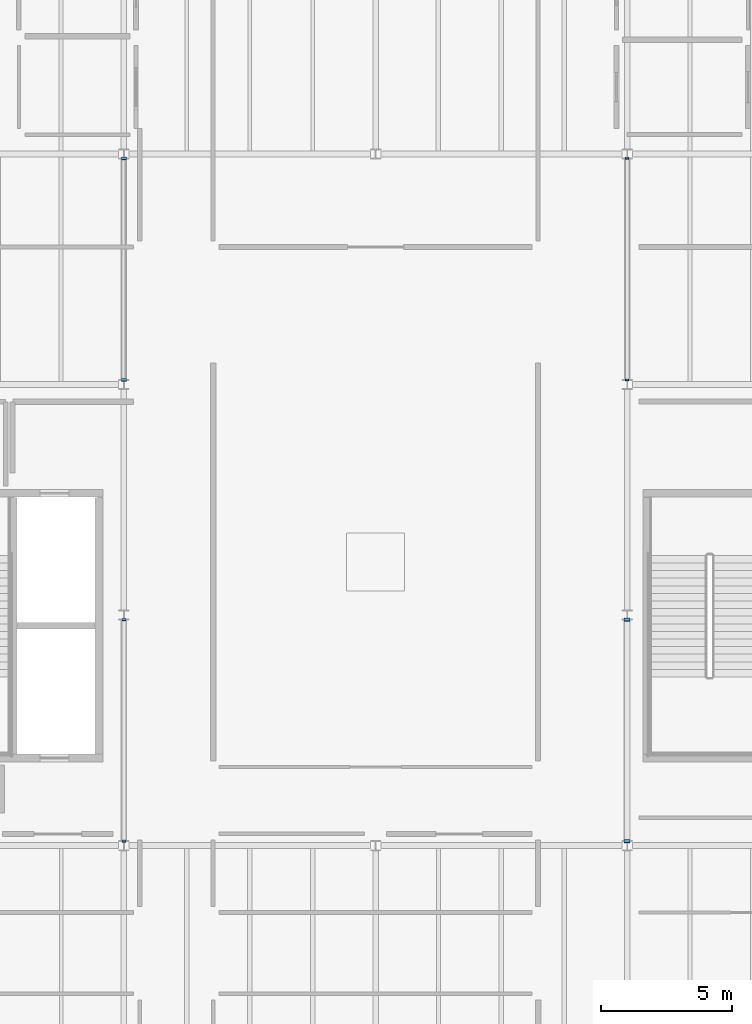
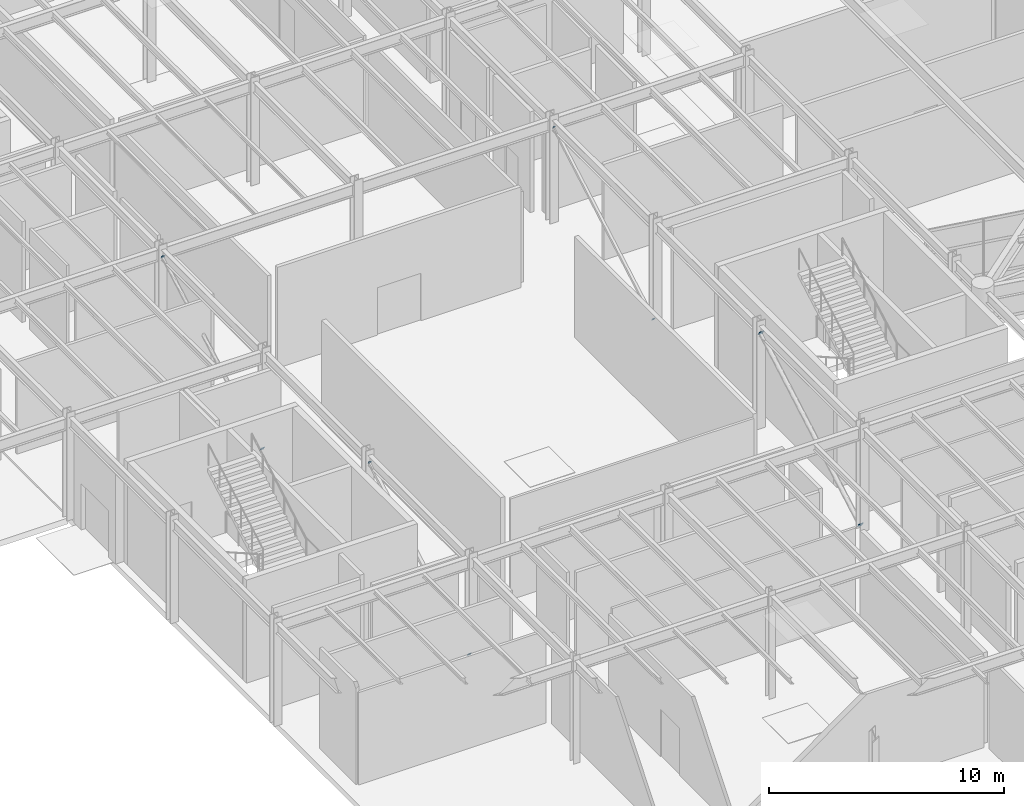
# One storey, part 41 of 70: 8 plates.
"""IFC4 building model written with IfcOpenShell, lengths in metres."""

from ifc_helpers import new_model, si_unit, direction, frame, origin, origin_2d, place, context, subcontext, project, spatial, rectangle, extrude, material, layer, layer_set, type_object, element, save


model = new_model("IFC4")

# Units and contexts
model_context = context("Model", 3, precision=1e-05, world=origin(), true_north=direction((0.0, 1.0)))
body_context = subcontext(model_context, "Body", "Model", "MODEL_VIEW")
ifc_project = project(units=[si_unit("LENGTHUNIT", "METRE"), si_unit("AREAUNIT", "SQUARE_METRE"), si_unit("VOLUMEUNIT", "CUBIC_METRE"), si_unit("PLANEANGLEUNIT", "RADIAN"), si_unit("MASSUNIT", "GRAM", prefix="KILO")], contexts=[model_context])

# Site, building, storey
site_placement = place(None, origin())
site = spatial("IfcSite", under=ifc_project, at=site_placement, CompositionType="ELEMENT")
building_placement = place(site_placement, origin())
building = spatial("IfcBuilding", under=site, at=building_placement, Name="Sarnbrook Museum", CompositionType="ELEMENT")
storey_placement = place(building_placement, origin())
storey = spatial("IfcBuildingStorey", under=building, at=storey_placement, Name="L00", CompositionType="ELEMENT", Elevation=0.0)

# Plates
ifc_material = material(Name="Structural Steel Grade 350L0 (AS/NZS 3678, fy = 340 MPa for 20 < t <= 40 mm)", Category="steel")
ifc_layer_1 = layer(ifc_material, 0.01611328125)
ifc_layer_set_1 = layer_set([ifc_layer_1], Name="Structural Steel Grade 350L0 (AS/NZS 3678, fy = 340 MPa for 20 < t <= 40 mm)")
plate_type_1 = type_object("IfcPlateType", Name="EndCapPlate_CAP125", PredefinedType="USERDEFINED", material=ifc_layer_set_1)
for number, where, z_axis, x_axis, name in (
    (1, (109.60009765625, 74.56591796875, 0.112060546875), (0.0, 0.867926550292, 0.496692564167), (-1.0, 0.0, 0.0), "Hollow End Cap Plate CBF:4:L00-1"),
    (2, (109.60009765625, 83.019775390625, 4.949951171875), (0.0, 0.867926550292, 0.496692564167), (-1.0, 0.0, 0.0), "Hollow End Cap Plate CBF:4:L00-2"),
):
    element("IfcPlate", number, at=place(storey_placement, frame(where, z_axis=z_axis, x_axis=x_axis)), inside=storey, type_object=plate_type_1, Name=name, ObjectType="END CAP PLATE", PredefinedType="USERDEFINED", context=body_context, shape_type="SweptSolid", body=[
        extrude(rectangle(XDim=0.125, YDim=0.125, at=origin_2d()), origin(), (0.0, 0.0, 1.0), 0.01611328125),
    ])
ifc_layer_2 = layer(ifc_material, 0.01611328125)
ifc_layer_set_2 = layer_set([ifc_layer_2], Name="Structural Steel Grade 350L0 (AS/NZS 3678, fy = 340 MPa for 20 < t <= 40 mm)")
plate_type_2 = type_object("IfcPlateType", Name="EndCapPlate_CAP150", PredefinedType="USERDEFINED", material=ifc_layer_set_2)
for number, where, z_axis, x_axis, name in (
    (3, (90.39990234375, 56.966064453125, 0.112060546875), (0.0, 0.867926550292, 0.496692564167), (-1.0, 0.0, 0.0), "Hollow End Cap Plate CBF:1:L00-1"),
    (4, (90.39990234375, 65.419921875, 4.949951171875), (0.0, 0.867926550292, 0.496692564167), (-1.0, 0.0, 0.0), "Hollow End Cap Plate CBF:1:L00-2"),
):
    element("IfcPlate", number, at=place(storey_placement, frame(where, z_axis=z_axis, x_axis=x_axis)), inside=storey, type_object=plate_type_2, Name=name, ObjectType="END CAP PLATE", PredefinedType="USERDEFINED", context=body_context, shape_type="SweptSolid", body=[
        extrude(rectangle(XDim=0.14990234375, YDim=0.14990234375, at=origin_2d()), origin(), (0.0, 0.0, 1.0), 0.01611328125),
    ])
ifc_layer_3 = layer(ifc_material, 0.01611328125)
ifc_layer_set_3 = layer_set([ifc_layer_3], Name="Structural Steel Grade 350L0 (AS/NZS 3678, fy = 340 MPa for 20 < t <= 40 mm)")
plate_type_3 = type_object("IfcPlateType", Name="EndCapPlate_CAP168", PredefinedType="USERDEFINED", material=ifc_layer_set_3)
for number, where, z_axis, x_axis, name in (
    (5, (90.39990234375, 74.56591796875, 0.112060546875), (0.0, 0.867926550292, 0.496692564167), (-1.0, 0.0, 0.0), "Hollow End Cap Plate CBF:3:L00-1"),
    (6, (90.39990234375, 83.019775390625, 4.949951171875), (0.0, 0.867926550292, 0.496692564167), (-1.0, 0.0, 0.0), "Hollow End Cap Plate CBF:3:L00-2"),
):
    element("IfcPlate", number, at=place(storey_placement, frame(where, z_axis=z_axis, x_axis=x_axis)), inside=storey, type_object=plate_type_3, Name=name, ObjectType="END CAP PLATE", PredefinedType="USERDEFINED", context=body_context, shape_type="SweptSolid", body=[
        extrude(rectangle(XDim=0.175048828125, YDim=0.175048828125, at=origin_2d()), origin(), (0.0, 0.0, 1.0), 0.01611328125),
    ])
ifc_layer_4 = layer(ifc_material, 0.01611328125)
ifc_layer_set_4 = layer_set([ifc_layer_4], Name="Structural Steel Grade 350L0 (AS/NZS 3678, fy = 340 MPa for 20 < t <= 40 mm)")
plate_type_4 = type_object("IfcPlateType", Name="EndCapPlate_CAP219", PredefinedType="USERDEFINED", material=ifc_layer_set_4)
for number, where, z_axis, x_axis, name in (
    (7, (109.60009765625, 56.966064453125, 0.112060546875), (0.0, 0.867926550292, 0.496692564167), (-1.0, 0.0, 0.0), "Hollow End Cap Plate CBF:2:L00-1"),
    (8, (109.60009765625, 65.419921875, 4.949951171875), (0.0, 0.867926550292, 0.496692564167), (-1.0, 0.0, 0.0), "Hollow End Cap Plate CBF:2:L00-2"),
):
    element("IfcPlate", number, at=place(storey_placement, frame(where, z_axis=z_axis, x_axis=x_axis)), inside=storey, type_object=plate_type_4, Name=name, ObjectType="END CAP PLATE", PredefinedType="USERDEFINED", context=body_context, shape_type="SweptSolid", body=[
        extrude(rectangle(XDim=0.22509765625, YDim=0.22509765625, at=origin_2d()), origin(), (0.0, 0.0, 1.0), 0.01611328125),
    ])

save(model, "model.ifc")
